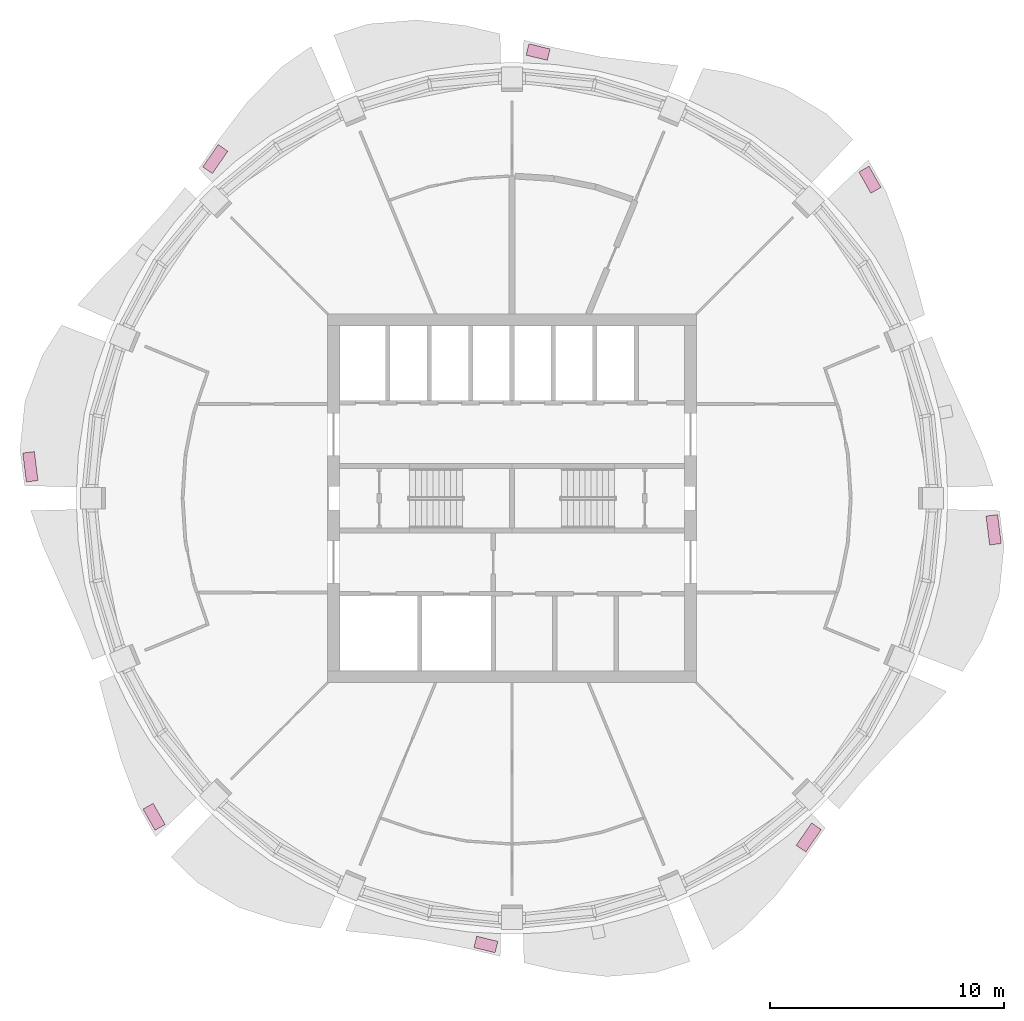
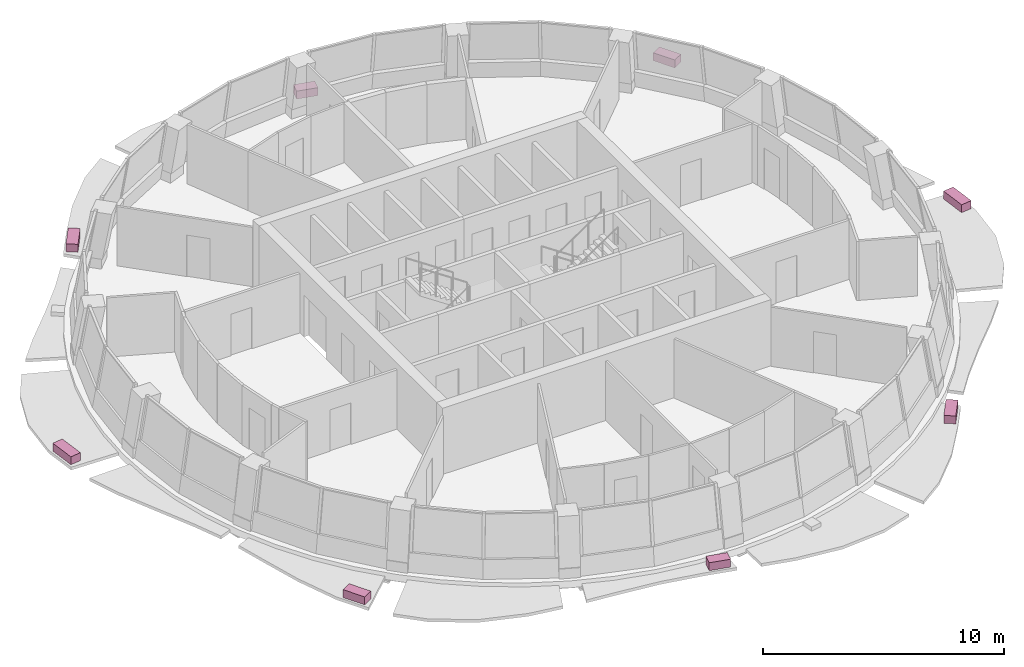
# One storey, part 11 of 11: 8 furniture elements.
"""IFC4 building model written with IfcOpenShell, lengths in metres."""

from ifc_helpers import new_model, si_unit, direction, frame, origin, origin_2d, place, context, subcontext, project, spatial, rectangle, extrude, material, type_object, element, save


model = new_model("IFC4")

# Units and contexts
model_context = context("Model", 3, precision=1e-05, world=origin(), true_north=direction((0.0, 1.0)))
body_context = subcontext(model_context, "Body", "Model", "MODEL_VIEW")
ifc_project = project(units=[si_unit("LENGTHUNIT", "METRE"), si_unit("AREAUNIT", "SQUARE_METRE"), si_unit("VOLUMEUNIT", "CUBIC_METRE"), si_unit("PLANEANGLEUNIT", "RADIAN"), si_unit("MASSUNIT", "GRAM", prefix="KILO")], contexts=[model_context])

# Site, building, storey
site_placement = place(None, origin())
site = spatial("IfcSite", under=ifc_project, at=site_placement, CompositionType="ELEMENT")
building_placement = place(site_placement, origin())
building = spatial("IfcBuilding", under=site, at=building_placement, Name="Polderwave Tower", CompositionType="ELEMENT")
storey_placement = place(building_placement, frame((0.0, 0.0, 184.300048828125)))
storey = spatial("IfcBuildingStorey", under=building, at=storey_placement, Name="L49", CompositionType="ELEMENT", Elevation=184.300048828125)

# Furniture
ifc_material = material(Name="Terracotta", Category="masonry")
furniture_type = type_object("IfcFurnitureType", Name="Terracotta planting trough", AssemblyPlace="NOTDEFINED", PredefinedType="USERDEFINED", material=ifc_material)
furniture_1_placement = place(storey_placement, frame((15.2880859375, 13.606201171875, -0.199951171875), z_axis=(0.0, 0.0, 1.0), x_axis=(-0.492520776696, 0.870300686271, 0.0)))
element("IfcFurniture", 1, at=furniture_1_placement, inside=storey, type_object=furniture_type, Name="Planting trough L49 2", ObjectType="PLANTER", PredefinedType="USERDEFINED", context=body_context, shape_type="SweptSolid", body=[
    extrude(rectangle(XDim=1.041259765625, YDim=0.5, at=origin_2d()), origin(), (0.0, 0.0, 1.0), 0.39990234375),
])
furniture_2_placement = place(storey_placement, frame((1.115966796875, 19.059326171875, -0.199951171875), z_axis=(0.0, 0.0, 1.0), x_axis=(-0.971565238808, 0.236772014266, 0.0)))
element("IfcFurniture", 2, at=furniture_2_placement, inside=storey, type_object=furniture_type, Name="Planting trough L49 4", ObjectType="PLANTER", PredefinedType="USERDEFINED", context=body_context, shape_type="SweptSolid", body=[
    extrude(rectangle(XDim=0.930908203125, YDim=0.5, at=origin_2d()), origin(), (0.0, 0.0, 1.0), 0.39990234375),
])
furniture_3_placement = place(storey_placement, frame((-12.673583984375, 14.487548828125, -0.199951171875), z_axis=(0.0, 0.0, 1.0), x_axis=(-0.567263199771, -0.823536557893, 0.0)))
element("IfcFurniture", 3, at=furniture_3_placement, inside=storey, type_object=furniture_type, Name="Planting trough L49 6", ObjectType="PLANTER", PredefinedType="USERDEFINED", context=body_context, shape_type="SweptSolid", body=[
    extrude(rectangle(XDim=1.162841796875, YDim=0.5, at=origin_2d()), origin(), (0.0, 0.0, 1.0), 0.39990234375),
])
furniture_4_placement = place(storey_placement, frame((-20.572021484375, 1.346435546875, -0.199951171875), z_axis=(0.0, 0.0, 1.0), x_axis=(0.124318470039, -0.992242368581, 0.0)))
element("IfcFurniture", 4, at=furniture_4_placement, inside=storey, type_object=furniture_type, Name="Planting trough L49 8", ObjectType="PLANTER", PredefinedType="USERDEFINED", context=body_context, shape_type="SweptSolid", body=[
    extrude(rectangle(XDim=1.24560546875, YDim=0.5, at=origin_2d()), origin(), (0.0, 0.0, 1.0), 0.39990234375),
])
furniture_5_placement = place(storey_placement, frame((-15.2880859375, -13.606201171875, -0.199951171875), z_axis=(0.0, 0.0, 1.0), x_axis=(0.492520776696, -0.870300686271, 0.0)))
element("IfcFurniture", 5, at=furniture_5_placement, inside=storey, type_object=furniture_type, Name="Planting trough L49 10", ObjectType="PLANTER", PredefinedType="USERDEFINED", context=body_context, shape_type="SweptSolid", body=[
    extrude(rectangle(XDim=1.041259765625, YDim=0.5, at=origin_2d()), origin(), (0.0, 0.0, 1.0), 0.39990234375),
])
furniture_6_placement = place(storey_placement, frame((-1.115966796875, -19.059326171875, -0.199951171875), z_axis=(0.0, 0.0, 1.0), x_axis=(0.971565238808, -0.236772014266, 0.0)))
element("IfcFurniture", 6, at=furniture_6_placement, inside=storey, type_object=furniture_type, Name="Planting trough L49 12", ObjectType="PLANTER", PredefinedType="USERDEFINED", context=body_context, shape_type="SweptSolid", body=[
    extrude(rectangle(XDim=0.930908203125, YDim=0.5, at=origin_2d()), origin(), (0.0, 0.0, 1.0), 0.39990234375),
])
furniture_7_placement = place(storey_placement, frame((12.673583984375, -14.487548828125, -0.199951171875), z_axis=(0.0, 0.0, 1.0), x_axis=(0.567263199771, 0.823536557893, 0.0)))
element("IfcFurniture", 7, at=furniture_7_placement, inside=storey, type_object=furniture_type, Name="Planting trough L49 14", ObjectType="PLANTER", PredefinedType="USERDEFINED", context=body_context, shape_type="SweptSolid", body=[
    extrude(rectangle(XDim=1.162841796875, YDim=0.5, at=origin_2d()), origin(), (0.0, 0.0, 1.0), 0.39990234375),
])
furniture_8_placement = place(storey_placement, frame((20.572021484375, -1.346435546875, -0.199951171875), z_axis=(0.0, 0.0, 1.0), x_axis=(-0.124318470039, 0.992242368581, 0.0)))
element("IfcFurniture", 8, at=furniture_8_placement, inside=storey, type_object=furniture_type, Name="Planting trough L49 16", ObjectType="PLANTER", PredefinedType="USERDEFINED", context=body_context, shape_type="SweptSolid", body=[
    extrude(rectangle(XDim=1.24560546875, YDim=0.5, at=origin_2d()), origin(), (0.0, 0.0, 1.0), 0.39990234375),
])

save(model, "model.ifc")
